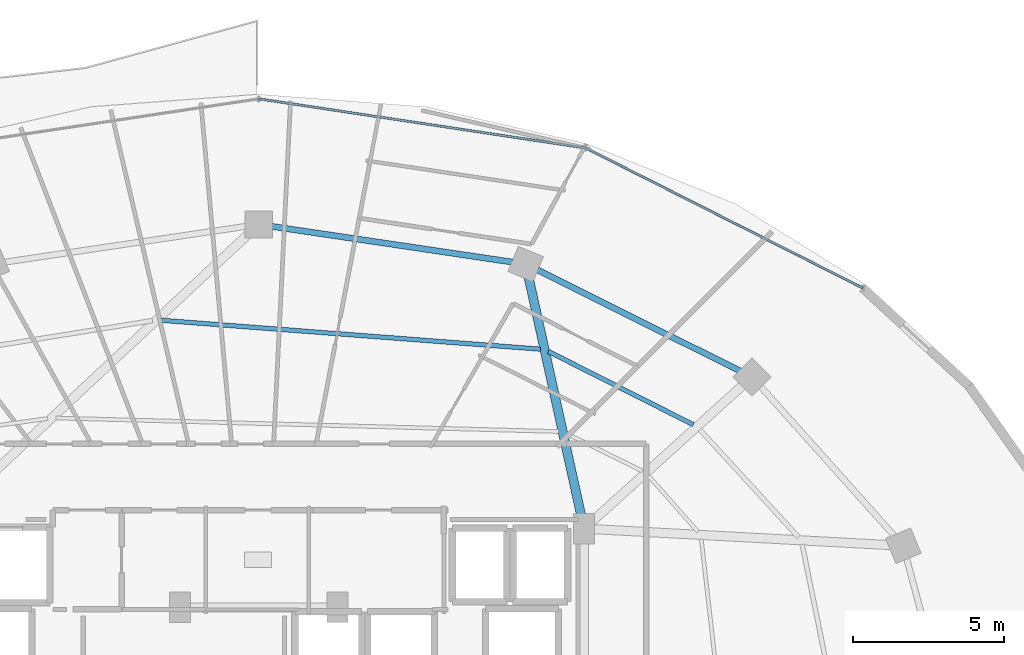
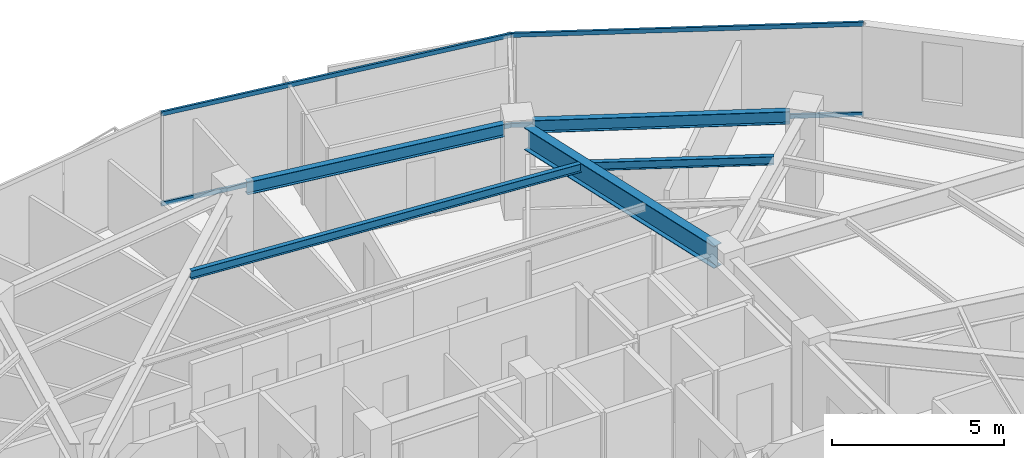
# One storey, part 21 of 33: 5 beams, 4 members, 1 element without a shape of its own.
"""IFC4 building model written with IfcOpenShell, lengths in metres."""

import ifcopenshell
import ifcopenshell.guid

model = None  # the IFC model being written
_history = None  # IfcOwnerHistory: only IFC2X3 demands one
_inside = {}  # id of a spatial element -> (the spatial element, [elements in it])
_under = {}  # id of a project, library or spatial element -> (it, [spatial elements below it])
_declared = {}  # id of a project -> (the project, [libraries it declares])
_typed = {}  # id of a type object -> (the type object, [elements of that type])
_made_of = {}  # id of a material, layer set ... -> (it, [elements and type objects made of it])


def new_model(schema):
    """Start an empty IFC model of exactly this schema.

    Asked for "IFC4X3", IfcOpenShell would pick the latest addendum, in which some entities
    have other attributes; the version numbers below select the first issue.
    IFC2X3 requires an IfcOwnerHistory on every rooted entity: one is made here for all.
    """
    global model, _history
    if schema == "IFC4X3":
        model = ifcopenshell.file(schema_version=(4, 3, 0, 0))
    else:
        model = ifcopenshell.file(schema=schema)
    _inside.clear()
    _under.clear()
    _declared.clear()
    _typed.clear()
    _made_of.clear()
    _history = None
    if model.schema == "IFC2X3":
        org = make("IfcOrganization", Name="unknown")
        user = make(
            "IfcPersonAndOrganization",
            ThePerson=make("IfcPerson", FamilyName="unknown"),
            TheOrganization=org,
        )
        app = make(
            "IfcApplication",
            ApplicationDeveloper=org,
            Version="unknown",
            ApplicationFullName="unknown",
            ApplicationIdentifier="unknown",
        )
        _history = make(
            "IfcOwnerHistory",
            OwningUser=user,
            OwningApplication=app,
            ChangeAction="ADDED",
            CreationDate=0,
        )
    return model


def make(cls, **values):
    """One entity of the class cls with the attributes given. An attribute that is None is left unset."""
    return model.create_entity(
        cls, **{name: value for name, value in values.items() if value is not None}
    )


def rooted(cls, **values):
    """An entity with a GlobalId (a new one), such as an element, a storey or a relation."""
    return make(cls, GlobalId=ifcopenshell.guid.new(), OwnerHistory=_history, **values)


def si_unit(unit_type, name, prefix=None):
    """IfcSIUnit, for example si_unit("LENGTHUNIT", "METRE", prefix="MILLI")."""
    return make("IfcSIUnit", UnitType=unit_type, Prefix=prefix, Name=name)


def assignment(units):
    """IfcUnitAssignment: the units of a project."""
    return None if units is None else make("IfcUnitAssignment", Units=units)


def point(xyz):
    """IfcCartesianPoint."""
    return None if xyz is None else make("IfcCartesianPoint", Coordinates=xyz)


def direction(xyz):
    """IfcDirection."""
    return None if xyz is None else make("IfcDirection", DirectionRatios=xyz)


def frame(location, z_axis=None, x_axis=None):
    """IfcAxis2Placement3D, a coordinate frame: its origin and axes. An axis left out is left unset."""
    return make(
        "IfcAxis2Placement3D",
        Location=point(location),
        Axis=direction(z_axis),
        RefDirection=direction(x_axis),
    )


def frame_2d(location, x_axis=None):
    """IfcAxis2Placement2D, a coordinate frame in the plane: its origin and x axis."""
    return make(
        "IfcAxis2Placement2D", Location=point(location), RefDirection=direction(x_axis)
    )


def origin():
    """The frame at (0, 0, 0) with its axes left unset."""
    return frame((0.0, 0.0, 0.0))


def origin_2d():
    """The frame at (0, 0) in the plane with its x axis left unset."""
    return frame_2d((0.0, 0.0))


def place(relative_to, where):
    """IfcLocalPlacement: puts the frame where relative to a parent placement (None: the world)."""
    return make(
        "IfcLocalPlacement", PlacementRelTo=relative_to, RelativePlacement=where
    )


def context(
    kind, dimensions, precision=None, world=None, true_north=None, identifier=None
):
    """IfcGeometricRepresentationContext, for example the 3D "Model" context."""
    return make(
        "IfcGeometricRepresentationContext",
        ContextIdentifier=identifier,
        ContextType=kind,
        CoordinateSpaceDimension=dimensions,
        Precision=precision,
        WorldCoordinateSystem=world,
        TrueNorth=true_north,
    )


def subcontext(parent, identifier, kind, view, scale=None):
    """IfcGeometricRepresentationSubContext, for example "Body" below "Model"."""
    return make(
        "IfcGeometricRepresentationSubContext",
        ContextIdentifier=identifier,
        ContextType=kind,
        ParentContext=parent,
        TargetScale=scale,
        TargetView=view,
    )


def project(units=None, contexts=None):
    """IfcProject with its units and contexts."""
    return rooted(
        "IfcProject",
        Name="project",
        RepresentationContexts=contexts,
        UnitsInContext=assignment(units),
    )


def spatial(cls, under=None, at=None, **own):
    """A site, building, storey or space (cls), placed at a placement, below another one or the project."""
    s = rooted(cls, ObjectPlacement=at, **own)
    if under is not None:
        _under.setdefault(under.id(), (under, []))[1].append(s)
    return s


def profile(cls, at=None, kind="AREA", **sizes):
    """A parametric profile (cls). Its sizes go by their IFC names, for example OverallWidth=200.0."""
    return make(cls, ProfileType=kind, Position=at, **sizes)


def hollow_rectangle(**sizes):
    """IfcRectangleHollowProfileDef."""
    return profile("IfcRectangleHollowProfileDef", **sizes)


def i_section(**sizes):
    """IfcIShapeProfileDef."""
    return profile("IfcIShapeProfileDef", **sizes)


def extrude(swept, where, along, depth):
    """IfcExtrudedAreaSolid: the profile swept, set in the frame where, extruded along a direction by depth."""
    return make(
        "IfcExtrudedAreaSolid",
        SweptArea=swept,
        Position=where,
        ExtrudedDirection=direction(along),
        Depth=depth,
    )


def shape(context_of_items, identifier, shape_type, items):
    """IfcShapeRepresentation: the items that make up one representation, for example the "Body"."""
    return make(
        "IfcShapeRepresentation",
        ContextOfItems=context_of_items,
        RepresentationIdentifier=identifier,
        RepresentationType=shape_type,
        Items=items,
    )


def material(Name=None, Category=None):
    """IfcMaterial."""
    return make("IfcMaterial", Name=Name, Category=Category)


def material_profile(
    of_material, cross_section, Name=None, Category=None, Priority=None
):
    """IfcMaterialProfile: a cross section and its material."""
    return make(
        "IfcMaterialProfile",
        Name=Name,
        Material=of_material,
        Profile=cross_section,
        Priority=Priority,
        Category=Category,
    )


def profile_set(profiles, Name=None, composite=None):
    """IfcMaterialProfileSet."""
    return make(
        "IfcMaterialProfileSet",
        Name=Name,
        MaterialProfiles=profiles,
        CompositeProfile=composite,
    )


def made_of(thing, what):
    """Note that an element or type object is made of a material, layer set ...; save() writes the relation."""
    if what is not None:
        _made_of.setdefault(what.id(), (what, []))[1].append(thing)
    return thing


def type_object(cls, material=None, **own):
    """A type object (cls), such as IfcWallType, which elements share."""
    return made_of(rooted(cls, **own), material)


def element(
    cls,
    number,
    at=None,
    inside=None,
    cuts=None,
    type_object=None,
    material=None,
    context=None,
    identifier="Body",
    shape_type=None,
    held_by="IfcProductDefinitionShape",
    body=None,
    shapes=None,
    **own,
):
    """One element of the class cls, such as IfcWall. Its Tag is "e" and its number.

    at: its placement. inside: the storey or other place that contains it. cuts: it is an
    opening in that element (IfcRelVoidsElement). A single representation is given by context,
    identifier, shape_type and body (its items); several are given by shapes. held_by: the class
    of the entity that holds the representations. save() writes the other relations.
    """
    e = rooted(cls, Tag="e%d" % number, ObjectPlacement=at, **own)
    if body is not None:
        shapes = [shape(context, identifier, shape_type, body)]
    if shapes is not None:
        e.Representation = make(held_by, Representations=shapes)
    if inside is not None:
        _inside.setdefault(inside.id(), (inside, []))[1].append(e)
    if cuts is not None:
        rooted(
            "IfcRelVoidsElement", RelatingBuildingElement=cuts, RelatedOpeningElement=e
        )
    if type_object is not None:
        _typed.setdefault(type_object.id(), (type_object, []))[1].append(e)
    return made_of(e, material)


def aggregate(whole, parts):
    """IfcRelAggregates: a whole, such as a stair, and the parts it consists of."""
    return rooted("IfcRelAggregates", RelatingObject=whole, RelatedObjects=parts)


def save(model, path):
    """Write the relations noted so far, then the file.

    IfcRelAggregates (storeys below a building ...), IfcRelContainedInSpatialStructure (elements
    in a storey), IfcRelDefinesByType, IfcRelAssociatesMaterial and IfcRelDeclares: one each for
    every whole, place, type object, material and project.
    """
    for whole, parts in _under.values():
        aggregate(whole, parts)
    for where, things in _inside.values():
        rooted(
            "IfcRelContainedInSpatialStructure",
            RelatedElements=things,
            RelatingStructure=where,
        )
    for kind, things in _typed.values():
        rooted("IfcRelDefinesByType", RelatedObjects=things, RelatingType=kind)
    for what, things in _made_of.values():
        rooted("IfcRelAssociatesMaterial", RelatedObjects=things, RelatingMaterial=what)
    for by, libraries in _declared.values():
        rooted("IfcRelDeclares", RelatingContext=by, RelatedDefinitions=libraries)
    model.write(path)


model = new_model("IFC4")

# Units and contexts
model_context = context("Model", 3, precision=1e-05, world=origin(), true_north=direction((0.0, 1.0)))
body_context = subcontext(model_context, "Body", "Model", "MODEL_VIEW")
ifc_project = project(units=[si_unit("LENGTHUNIT", "METRE"), si_unit("AREAUNIT", "SQUARE_METRE"), si_unit("VOLUMEUNIT", "CUBIC_METRE"), si_unit("PLANEANGLEUNIT", "RADIAN"), si_unit("MASSUNIT", "GRAM", prefix="KILO")], contexts=[model_context])

# Site, building, storey
site_placement = place(None, origin())
site = spatial("IfcSite", under=ifc_project, at=site_placement, CompositionType="ELEMENT")
building_placement = place(site_placement, origin())
building = spatial("IfcBuilding", under=site, at=building_placement, Name="Vorneva Point Tower", CompositionType="ELEMENT")
storey_placement = place(building_placement, frame((0.0, 0.0, 196.60009765625)))
storey = spatial("IfcBuildingStorey", under=building, at=storey_placement, Name="L53", CompositionType="ELEMENT", Elevation=196.60009765625)

# Beams
ifc_material_1 = material(Name="Steel S355", Category="steel")
ifc_material_profile_1 = material_profile(ifc_material_1, i_section(OverallWidth=0.300048828125, OverallDepth=0.7880859375, WebThickness=0.014404296875, FlangeThickness=0.02197265625, at=origin_2d()), Name="80Sh1")
ifc_profile_set_1 = profile_set([ifc_material_profile_1], Name="Steel S355")
beam_type_1 = type_object("IfcBeamType", Name="BM-GRD-80Sh1", PredefinedType="USERDEFINED", material=ifc_profile_set_1)
beam_1_placement = place(storey_placement, frame((46.915283203125, 41.462890625, 2.845947265625), z_axis=(0.215522758292, -0.976498817541, 0.0), x_axis=(0.976498817541, 0.215522758292, 0.0)))
element("IfcBeam", 1, at=beam_1_placement, inside=storey, type_object=beam_type_1, Name="L53 Radial Primary Girder 04", ObjectType="GIRDER", PredefinedType="USERDEFINED", context=body_context, shape_type="SweptSolid", body=[
    extrude(i_section(OverallWidth=0.300048828125, OverallDepth=0.7880859375, WebThickness=0.014404296875, FlangeThickness=0.02197265625, at=origin_2d()), origin(), (0.0, 0.0, 1.0), 8.173095703125),
])
ifc_material_profile_2 = material_profile(ifc_material_1, i_section(OverallWidth=0.14892578125, OverallDepth=0.298095703125, WebThickness=0.005615234375, FlangeThickness=0.008056640625, at=origin_2d()), Name="30B1")
ifc_profile_set_2 = profile_set([ifc_material_profile_2], Name="Steel S355")
beam_type_2 = type_object("IfcBeamType", Name="BM-JST-30B1", PredefinedType="JOIST", material=ifc_profile_set_2)
beam_2_placement = place(storey_placement, frame((52.359130859375, 36.583740234375, 3.0908203125), z_axis=(-0.892445275424, 0.451155660912, 0.0), x_axis=(-0.451155660912, -0.892445275424, 0.0)))
element("IfcBeam", 2, at=beam_2_placement, inside=storey, type_object=beam_type_2, Name="L53 Secondary Floor Beam 1.03", PredefinedType="JOIST", context=body_context, shape_type="SweptSolid", body=[
    extrude(i_section(OverallWidth=0.14892578125, OverallDepth=0.298095703125, WebThickness=0.005615234375, FlangeThickness=0.008056640625, at=origin_2d()), origin(), (0.0, 0.0, 1.0), 5.369873046875),
])
beam_3_placement = place(storey_placement, frame((47.30615234375, 39.0791015625, 3.0908203125), z_axis=(-0.99710914337, 0.075982604646, 0.0), x_axis=(-0.075982604646, -0.99710914337, 0.0)))
element("IfcBeam", 3, at=beam_3_placement, inside=storey, type_object=beam_type_2, Name="L53 Secondary Floor Beam 1.04", PredefinedType="JOIST", context=body_context, shape_type="SweptSolid", body=[
    extrude(i_section(OverallWidth=0.14892578125, OverallDepth=0.298095703125, WebThickness=0.005615234375, FlangeThickness=0.008056640625, at=origin_2d()), origin(), (0.0, 0.0, 1.0), 12.579345703125),
])
ifc_material_profile_3 = material_profile(ifc_material_1, i_section(OverallWidth=0.198974609375, OverallDepth=0.446044921875, WebThickness=0.008056640625, FlangeThickness=0.011962890625, at=origin_2d()), Name="45B1")
ifc_profile_set_3 = profile_set([ifc_material_profile_3], Name="Steel S355")
beam_type_3 = type_object("IfcBeamType", Name="BM-SPN-45B1", PredefinedType="SPANDREL", material=ifc_profile_set_3)
beam_4_placement = place(storey_placement, frame((53.909423828125, 38.356201171875, 3.016845703125), z_axis=(-0.894922371084, 0.446221861559, 0.0), x_axis=(-0.446221861559, -0.894922371084, 0.0)))
element("IfcBeam", 4, at=beam_4_placement, inside=storey, type_object=beam_type_3, Name="L53 Perimeter Spandrel Ring Beam 03", PredefinedType="SPANDREL", context=body_context, shape_type="SweptSolid", body=[
    extrude(i_section(OverallWidth=0.198974609375, OverallDepth=0.446044921875, WebThickness=0.008056640625, FlangeThickness=0.011962890625, at=origin_2d()), origin(), (0.0, 0.0, 1.0), 7.48583984375),
])
beam_5_placement = place(storey_placement, frame((46.390625, 41.95458984375, 3.016845703125), z_axis=(-0.989165476332, 0.146804837907, 0.0), x_axis=(-0.146804837907, -0.989165476332, 0.0)))
element("IfcBeam", 5, at=beam_5_placement, inside=storey, type_object=beam_type_3, Name="L53 Perimeter Spandrel Ring Beam 04", PredefinedType="SPANDREL", context=body_context, shape_type="SweptSolid", body=[
    extrude(i_section(OverallWidth=0.198974609375, OverallDepth=0.446044921875, WebThickness=0.008056640625, FlangeThickness=0.011962890625, at=origin_2d()), origin(), (0.0, 0.0, 1.0), 8.04736328125),
])

# Curtain wall, members
ifc_material_2 = material(Name="Pale anodised aluminium", Category="aluminium")
curtain_wall_type = type_object("IfcCurtainWallType", Name="CW-RES-SYS", PredefinedType="NOTDEFINED", material=ifc_material_2)
curtain_wall_placement = place(storey_placement, origin())
curtain_wall = element("IfcCurtainWall", 6, at=curtain_wall_placement, inside=storey, type_object=curtain_wall_type, Name="L53 Unitised Curtain Wall CW-L53-R02", PredefinedType="NOTDEFINED")
ifc_material_profile_4 = material_profile(ifc_material_2, hollow_rectangle(XDim=0.074951171875, YDim=0.14990234375, WallThickness=0.00390625, at=origin_2d()), Name="AL-TRN 150x75x4")
ifc_profile_set_4 = profile_set([ifc_material_profile_4], Name="Pale anodised aluminium")
member_type = type_object("IfcMemberType", Name="CW-TRN-150", PredefinedType="USERDEFINED", material=ifc_profile_set_4)
member_1_placement = place(storey_placement, frame((57.961669921875, 41.0966796875, 0.02001953125), z_axis=(-0.892510927709, 0.451025768576, 0.0), x_axis=(-0.451025768576, -0.892510927709, 0.0)))
member_1 = element("IfcMember", 7, at=member_1_placement, type_object=member_type, Name="CW-L53-R02 Transom 01.1", ObjectType="TRANSOM", PredefinedType="USERDEFINED", context=body_context, shape_type="SweptSolid", body=[
    extrude(hollow_rectangle(XDim=0.074951171875, YDim=0.14990234375, WallThickness=0.00390625, at=origin_2d()), origin(), (0.0, 0.0, 1.0), 10.261474609375),
])
member_2_placement = place(storey_placement, frame((57.961669921875, 41.0966796875, 3.219970703125), z_axis=(-0.892510927709, 0.451025768576, 0.0), x_axis=(-0.451025768576, -0.892510927709, 0.0)))
member_2 = element("IfcMember", 8, at=member_2_placement, type_object=member_type, Name="CW-L53-R02 Transom 01.2", ObjectType="TRANSOM", PredefinedType="USERDEFINED", context=body_context, shape_type="SweptSolid", body=[
    extrude(hollow_rectangle(XDim=0.074951171875, YDim=0.14990234375, WallThickness=0.00390625, at=origin_2d()), origin(), (0.0, 0.0, 1.0), 10.261474609375),
])
member_3_placement = place(storey_placement, frame((48.80322265625, 45.724853515625, 0.02001953125), z_axis=(-0.988872333273, 0.148766624239, 0.0), x_axis=(-0.148766624239, -0.988872333273, 0.0)))
member_3 = element("IfcMember", 9, at=member_3_placement, type_object=member_type, Name="CW-L53-R02 Transom 02.1", ObjectType="TRANSOM", PredefinedType="USERDEFINED", context=body_context, shape_type="SweptSolid", body=[
    extrude(hollow_rectangle(XDim=0.074951171875, YDim=0.14990234375, WallThickness=0.00390625, at=origin_2d()), origin(), (0.0, 0.0, 1.0), 10.9248046875),
])
member_4_placement = place(storey_placement, frame((48.80322265625, 45.724853515625, 3.219970703125), z_axis=(-0.988872333273, 0.148766624239, 0.0), x_axis=(-0.148766624239, -0.988872333273, 0.0)))
member_4 = element("IfcMember", 10, at=member_4_placement, type_object=member_type, Name="CW-L53-R02 Transom 02.2", ObjectType="TRANSOM", PredefinedType="USERDEFINED", context=body_context, shape_type="SweptSolid", body=[
    extrude(hollow_rectangle(XDim=0.074951171875, YDim=0.14990234375, WallThickness=0.00390625, at=origin_2d()), origin(), (0.0, 0.0, 1.0), 10.9248046875),
])
aggregate(curtain_wall, [member_1, member_2, member_3, member_4])

save(model, "model.ifc")
